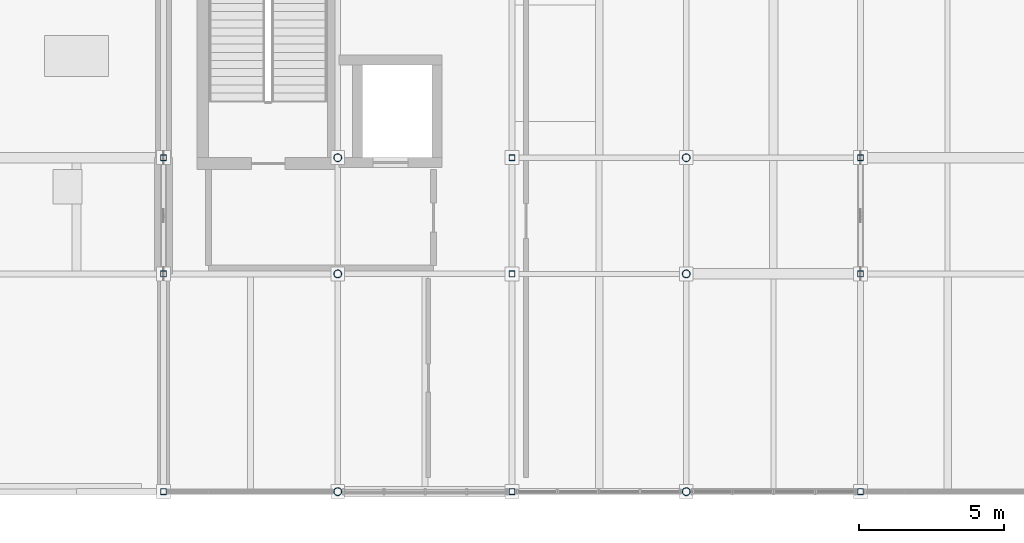
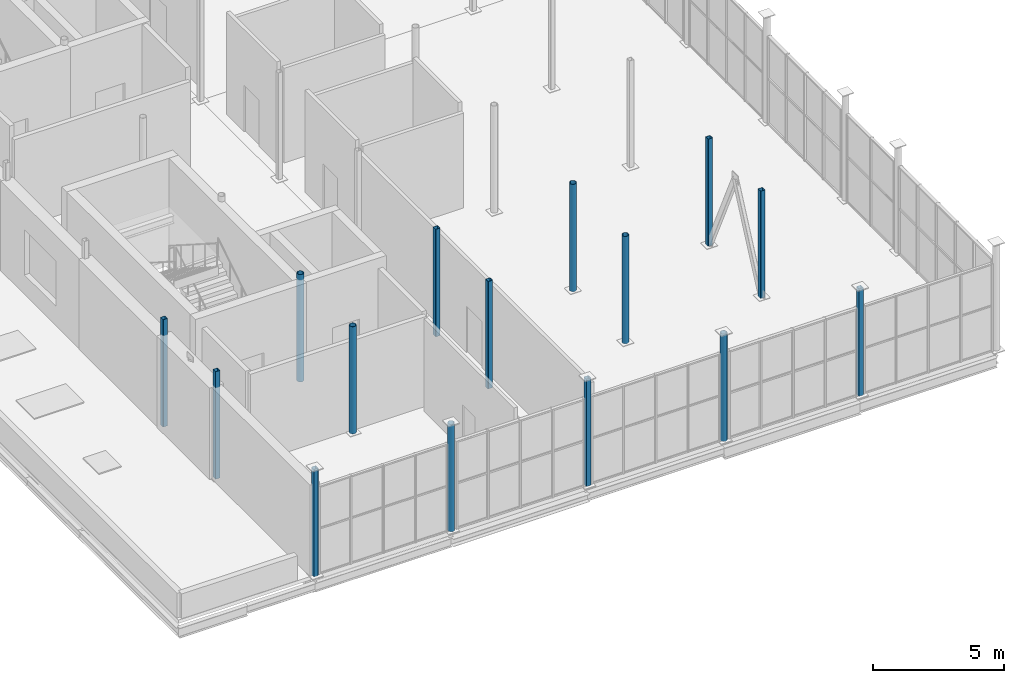
# One storey, part 1 of 27: 15 columns.
"""IFC4 building model written with IfcOpenShell, lengths in metres."""

from ifc_helpers import new_model, si_unit, direction, frame, origin, origin_2d, place, context, subcontext, project, spatial, hollow_rectangle, hollow_circle, extrude, material, material_profile, profile_set, type_object, element, save


model = new_model("IFC4")

# Units and contexts
model_context = context("Model", 3, precision=1e-05, world=origin(), true_north=direction((0.0, 1.0)))
body_context = subcontext(model_context, "Body", "Model", "MODEL_VIEW")
ifc_project = project(units=[si_unit("LENGTHUNIT", "METRE"), si_unit("AREAUNIT", "SQUARE_METRE"), si_unit("VOLUMEUNIT", "CUBIC_METRE"), si_unit("PLANEANGLEUNIT", "RADIAN"), si_unit("MASSUNIT", "GRAM", prefix="KILO")], contexts=[model_context])

# Site, building, storey
site_placement = place(None, origin())
site = spatial("IfcSite", under=ifc_project, at=site_placement, CompositionType="ELEMENT")
building_placement = place(site_placement, origin())
building = spatial("IfcBuilding", under=site, at=building_placement, Name="Verrall Gate Interchange", CompositionType="ELEMENT")
storey_placement = place(building_placement, frame((0.0, 0.0, 23.60009765625)))
storey = spatial("IfcBuildingStorey", under=building, at=storey_placement, Name="L06", CompositionType="ELEMENT", Elevation=23.60009765625)

# Columns
ifc_material_1 = material(Name="Structural Steel CSA G40.21 350W", Category="steel")
ifc_material_profile_1 = material_profile(ifc_material_1, hollow_rectangle(XDim=0.202880859375, YDim=0.202880859375, WallThickness=0.009521484375, InnerFilletRadius=0.009521484375, OuterFilletRadius=0.01904296875, at=origin_2d()), Name="HSS203x203x9.5")
ifc_profile_set_1 = profile_set([ifc_material_profile_1], Name="Structural Steel CSA G40.21 350W")
column_type_1 = type_object("IfcColumnType", Name="C-14 Column HSS203x203x9.5", PredefinedType="COLUMN", material=ifc_profile_set_1)
for number, where, z_axis, x_axis, name in (
    (1, (6.0, 4.5, 0.0), (0.0, 0.0, 1.0), (1.0, 0.0, 0.0), "L06 Column COL-L06-0144 (C-14)"),
    (2, (6.0, 12.0, 0.0), (0.0, 0.0, 1.0), (1.0, 0.0, 0.0), "L06 Column COL-L06-0152 (C-14)"),
    (3, (6.0, 16.0, 0.0), (0.0, 0.0, 1.0), (1.0, 0.0, 0.0), "L06 Column COL-L06-0161 (C-14)"),
    (4, (18.0, 4.5, 0.0), (0.0, 0.0, 1.0), (1.0, 0.0, 0.0), "L06 Column COL-L06-0378 (C-14)"),
    (5, (18.0, 12.0, 0.0), (0.0, 0.0, 1.0), (1.0, 0.0, 0.0), "L06 Column COL-L06-0386 (C-14)"),
    (6, (18.0, 16.0, 0.0), (0.0, 0.0, 1.0), (1.0, 0.0, 0.0), "L06 Column COL-L06-0395 (C-14)"),
    (7, (30.0, 4.5, 0.0), (0.0, 0.0, 1.0), (1.0, 0.0, 0.0), "L06 Column COL-L06-0612 (C-14)"),
    (8, (30.0, 12.0, 0.0), (0.0, 0.0, 1.0), (1.0, 0.0, 0.0), "L06 Column COL-L06-0620 (C-14)"),
    (9, (30.0, 16.0, 0.0), (0.0, 0.0, 1.0), (1.0, 0.0, 0.0), "L06 Column COL-L06-0629 (C-14)"),
):
    element("IfcColumn", number, at=place(storey_placement, frame(where, z_axis=z_axis, x_axis=x_axis)), inside=storey, type_object=column_type_1, Name=name, PredefinedType="COLUMN", context=body_context, shape_type="SweptSolid", body=[
        extrude(hollow_rectangle(XDim=0.202880859375, YDim=0.202880859375, WallThickness=0.009521484375, InnerFilletRadius=0.009521484375, OuterFilletRadius=0.01904296875, at=origin_2d()), origin(), (0.0, 0.0, 1.0), 5.0),
    ])
ifc_material_2 = material(Name="Structural Steel CSA G40.21 350WT Cat 4", Category="steel")
ifc_material_profile_2 = material_profile(ifc_material_2, hollow_circle(Radius=0.136474609375, WallThickness=0.009521484375, at=origin_2d()), Name="HSS273x9.5")
ifc_profile_set_2 = profile_set([ifc_material_profile_2], Name="Structural Steel CSA G40.21 350WT Cat 4")
column_type_2 = type_object("IfcColumnType", Name="C-16 Column HSS273x9.5", PredefinedType="COLUMN", material=ifc_profile_set_2)
for number, where, z_axis, x_axis, name in (
    (10, (12.0, 4.5, 0.0), (0.0, 0.0, 1.0), (1.0, 0.0, 0.0), "L06 Column COL-L06-0261 (C-16)"),
    (11, (12.0, 12.0, 0.0), (0.0, 0.0, 1.0), (1.0, 0.0, 0.0), "L06 Column COL-L06-0269 (C-16)"),
    (12, (12.0, 16.0, 0.0), (0.0, 0.0, 1.0), (1.0, 0.0, 0.0), "L06 Column COL-L06-0278 (C-16)"),
    (13, (24.0, 4.5, 0.0), (0.0, 0.0, 1.0), (1.0, 0.0, 0.0), "L06 Column COL-L06-0495 (C-16)"),
    (14, (24.0, 12.0, 0.0), (0.0, 0.0, 1.0), (1.0, 0.0, 0.0), "L06 Column COL-L06-0503 (C-16)"),
    (15, (24.0, 16.0, 0.0), (0.0, 0.0, 1.0), (1.0, 0.0, 0.0), "L06 Column COL-L06-0512 (C-16)"),
):
    element("IfcColumn", number, at=place(storey_placement, frame(where, z_axis=z_axis, x_axis=x_axis)), inside=storey, type_object=column_type_2, Name=name, PredefinedType="COLUMN", context=body_context, shape_type="SweptSolid", body=[
        extrude(hollow_circle(Radius=0.136474609375, WallThickness=0.009521484375, at=origin_2d()), origin(), (0.0, 0.0, 1.0), 5.0),
    ])

save(model, "model.ifc")
